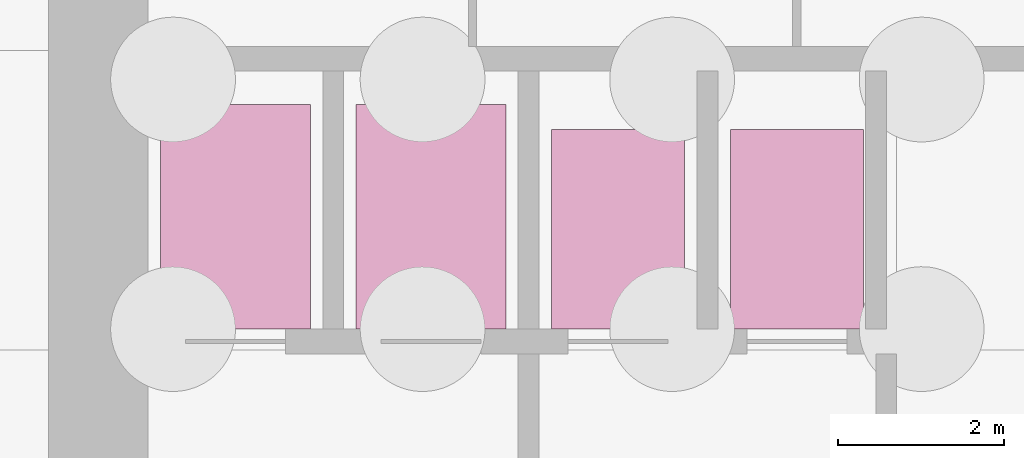
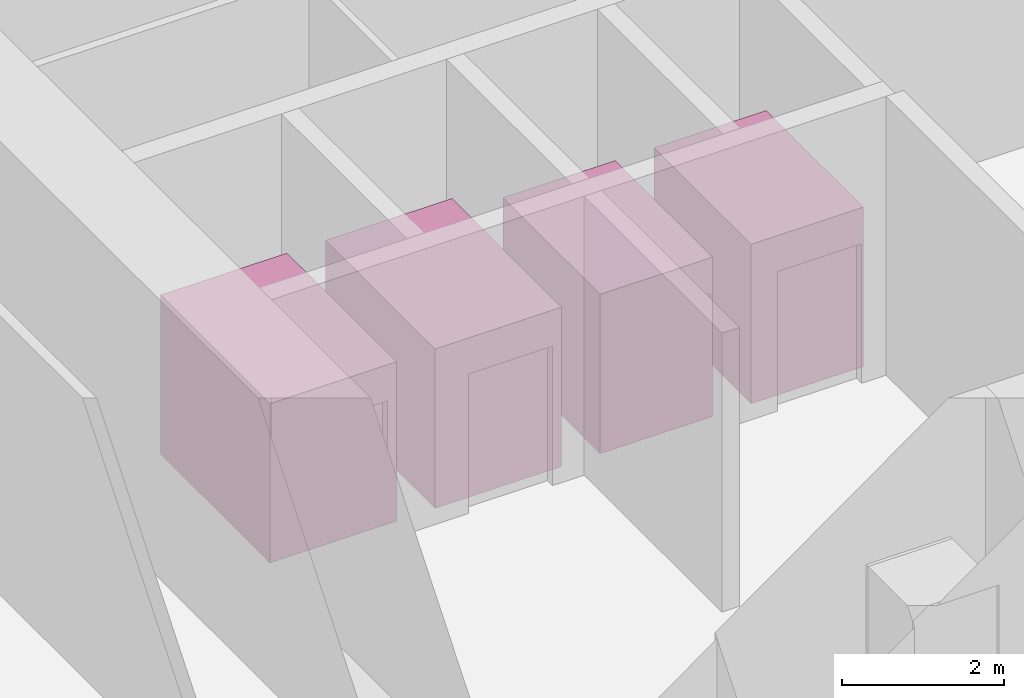
# One storey, part 10 of 10: 4 transport elements.
"""IFC4 building model written with IfcOpenShell, lengths in metres."""

from ifc_helpers import new_model, si_unit, direction, frame, origin, origin_2d, place, context, subcontext, project, spatial, rectangle, extrude, source, transform, mapped, material, type_object, element, save


model = new_model("IFC4")

# Units and contexts
model_context = context("Model", 3, precision=1e-05, world=origin(), true_north=direction((0.0, 1.0)))
body_context = subcontext(model_context, "Body", "Model", "MODEL_VIEW")
ifc_project = project(units=[si_unit("LENGTHUNIT", "METRE"), si_unit("AREAUNIT", "SQUARE_METRE"), si_unit("VOLUMEUNIT", "CUBIC_METRE"), si_unit("PLANEANGLEUNIT", "RADIAN"), si_unit("MASSUNIT", "GRAM", prefix="KILO")], contexts=[model_context])

# Site, building, storey
site_placement = place(None, origin())
site = spatial("IfcSite", under=ifc_project, at=site_placement, CompositionType="ELEMENT")
building_placement = place(site_placement, origin())
building = spatial("IfcBuilding", under=site, at=building_placement, Name="Khomas Fold Tower", CompositionType="ELEMENT")
storey_placement = place(building_placement, frame((0.0, 0.0, -9.0)))
storey = spatial("IfcBuildingStorey", under=building, at=storey_placement, Name="B2", CompositionType="ELEMENT", Elevation=-9.0)

# Transport elements
ifc_material_1 = material(Name="Stainless steel", Category="steel")
transport_element_type_1 = type_object("IfcTransportElementType", Name="Service lift 1800x2700", PredefinedType="ELEVATOR", material=ifc_material_1)
shared_shape_1 = source(origin(), body_context, "Body", "SweptSolid", [
    extrude(rectangle(XDim=1.800048828125, YDim=2.699951171875, at=origin_2d()), origin(), (0.0, 0.0, 1.0), 2.39990234375),
])
for number, where, z_axis, x_axis, name in (
    (1, (8.25, 20.85009765625, 0.0), (0.0, 0.0, 1.0), (1.0, 0.0, 0.0), "SV1"),
    (2, (10.60009765625, 20.85009765625, 0.0), (0.0, 0.0, 1.0), (1.0, 0.0, 0.0), "SV2"),
):
    element("IfcTransportElement", number, at=place(storey_placement, frame(where, z_axis=z_axis, x_axis=x_axis)), inside=storey, type_object=transport_element_type_1, Name=name, PredefinedType="ELEVATOR", context=body_context, shape_type="MappedRepresentation", body=[
        mapped(shared_shape_1, transform((0.0, 0.0, 0.0))),
    ])
ifc_material_2 = material(Name="Stainless steel", Category="steel")
transport_element_type_2 = type_object("IfcTransportElementType", Name="Firefighting lift 1600x2400", PredefinedType="ELEVATOR", material=ifc_material_2)
shared_shape_2 = source(origin(), body_context, "Body", "SweptSolid", [
    extrude(rectangle(XDim=1.60009765625, YDim=2.39990234375, at=origin_2d()), origin(), (0.0, 0.0, 1.0), 2.39990234375),
])
for number, where, z_axis, x_axis, name in (
    (3, (12.85009765625, 20.699951171875, 0.0), (0.0, 0.0, 1.0), (1.0, 0.0, 0.0), "FF1"),
    (4, (15.0, 20.699951171875, 0.0), (0.0, 0.0, 1.0), (1.0, 0.0, 0.0), "FF2"),
):
    element("IfcTransportElement", number, at=place(storey_placement, frame(where, z_axis=z_axis, x_axis=x_axis)), inside=storey, type_object=transport_element_type_2, Name=name, PredefinedType="ELEVATOR", context=body_context, shape_type="MappedRepresentation", body=[
        mapped(shared_shape_2, transform((0.0, 0.0, 0.0))),
    ])

save(model, "model.ifc")
